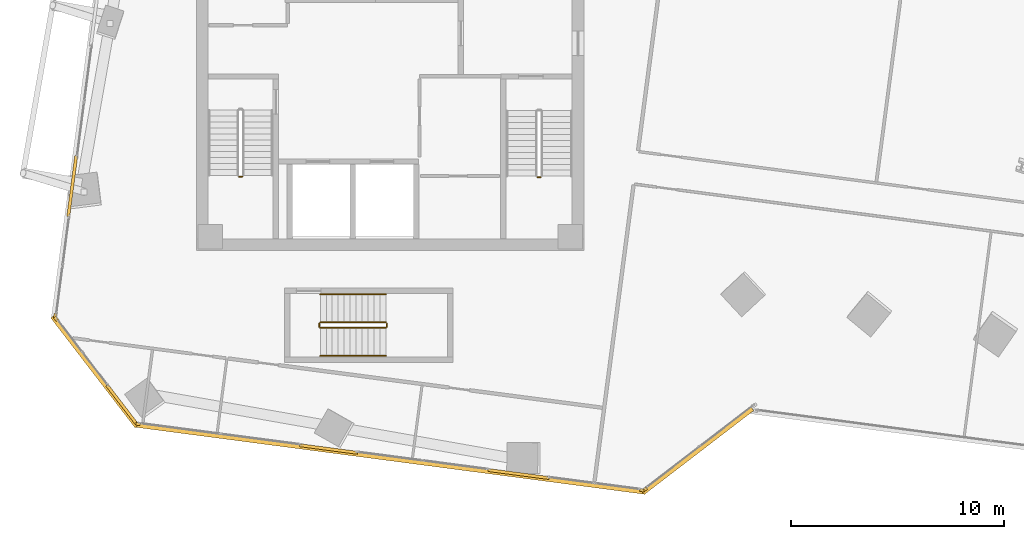
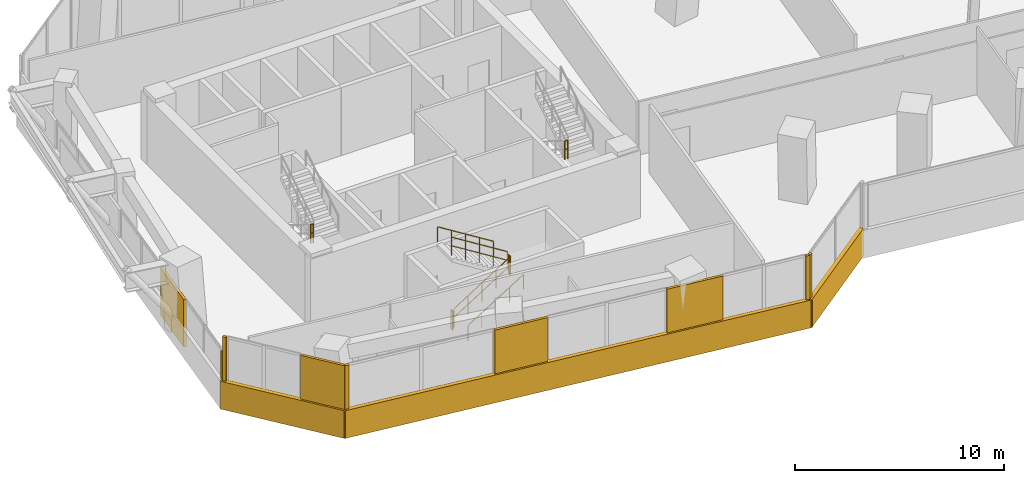
# One storey, part 21 of 24: 12 coverings, 8 railings.
"""IFC4 building model written with IfcOpenShell, lengths in metres."""

from ifc_helpers import new_model, si_unit, direction, frame, origin, origin_2d, place, context, subcontext, project, spatial, rectangle, circle, extrude, source, transform, mapped, material, layer, layer_set, type_object, element, save


model = new_model("IFC4")

# Units and contexts
model_context = context("Model", 3, precision=1e-05, world=origin(), true_north=direction((0.0, 1.0)))
body_context = subcontext(model_context, "Body", "Model", "MODEL_VIEW")
ifc_project = project(units=[si_unit("LENGTHUNIT", "METRE"), si_unit("AREAUNIT", "SQUARE_METRE"), si_unit("VOLUMEUNIT", "CUBIC_METRE"), si_unit("PLANEANGLEUNIT", "RADIAN"), si_unit("MASSUNIT", "GRAM", prefix="KILO")], contexts=[model_context])

# Site, building, storey
site_placement = place(None, origin())
site = spatial("IfcSite", under=ifc_project, at=site_placement, CompositionType="ELEMENT")
building_placement = place(site_placement, origin())
building = spatial("IfcBuilding", under=site, at=building_placement, Name="Torre Montelarca", CompositionType="ELEMENT")
storey_placement = place(building_placement, frame((0.0, 0.0, 70.60009765625)))
storey = spatial("IfcBuildingStorey", under=building, at=storey_placement, Name="L15", CompositionType="ELEMENT", Elevation=70.60009765625)

# Railings
ifc_material_1 = material(Name="Powder-coated steel ASTM A500 Grade C", Category="steel")
railing_type_1 = type_object("IfcRailingType", Name="RL-GUARD-1100", PredefinedType="BALUSTRADE", material=ifc_material_1)
for number, where, name in (
    (1, (10.89990234375, 27.3701171875, 2.099853515625), "L15 ST1 stair guard 2"),
    (2, (24.919921875, 27.340087890625, 2.099853515625), "L15 ST2 stair guard 2"),
):
    element("IfcRailing", number, at=place(storey_placement, frame(where)), inside=storey, type_object=railing_type_1, Name=name, PredefinedType="BALUSTRADE", context=body_context, shape_type="SweptSolid", body=[
        extrude(circle(Radius=0.02392578125, at=origin_2d()), frame((0.0, 0.0, 1.076171875), z_axis=(1.0, 0.0, 0.0), x_axis=(0.0, 1.0, 0.0)), (0.0, 0.0, 1.0), 0.150146484375),
        extrude(circle(Radius=0.02099609375, at=origin_2d()), frame((0.0, 0.0, 0.572021484375), z_axis=(1.0, 0.0, 0.0), x_axis=(0.0, 1.0, 0.0)), (0.0, 0.0, 1.0), 0.150146484375),
        extrude(circle(Radius=0.02099609375, at=origin_2d()), origin(), (0.0, 0.0, 1.0), 1.052001953125),
        extrude(circle(Radius=0.02099609375, at=origin_2d()), frame((0.150146484375, 0.0, 0.0)), (0.0, 0.0, 1.0), 1.052001953125),
    ])
railing_1_placement = place(storey_placement, frame((14.719970703125, 20.27001953125, 0.1748046875)))
element("IfcRailing", 3, at=railing_1_placement, inside=storey, type_object=railing_type_1, Name="L15 ST3 stair guard 1", PredefinedType="BALUSTRADE", context=body_context, shape_type="SweptSolid", body=[
    extrude(circle(Radius=0.02392578125, at=origin_2d()), frame((0.0, 0.0, 1.076171875), z_axis=(0.847998304005, 0.0, 0.529998940003), x_axis=(0.0, 1.0, 0.0)), (0.0, 0.0, 1.0), 3.632080078125),
    extrude(circle(Radius=0.02099609375, at=origin_2d()), frame((0.0, 0.0, 0.572021484375), z_axis=(0.847998304005, 0.0, 0.529998940003), x_axis=(0.0, 1.0, 0.0)), (0.0, 0.0, 1.0), 3.632080078125),
    extrude(circle(Radius=0.02099609375, at=origin_2d()), origin(), (0.0, 0.0, 1.0), 1.052001953125),
    extrude(circle(Radius=0.02099609375, at=origin_2d()), frame((0.77001953125, 0.0, 0.481201171875)), (0.0, 0.0, 1.0), 1.052001953125),
    extrude(circle(Radius=0.02099609375, at=origin_2d()), frame((1.5400390625, 0.0, 0.96240234375)), (0.0, 0.0, 1.0), 1.052001953125),
    extrude(circle(Radius=0.02099609375, at=origin_2d()), frame((2.31005859375, 0.0, 1.44384765625)), (0.0, 0.0, 1.0), 1.052001953125),
    extrude(circle(Radius=0.02099609375, at=origin_2d()), frame((3.080078125, 0.0, 1.925048828125)), (0.0, 0.0, 1.0), 1.052001953125),
])
railing_2_placement = place(storey_placement, frame((17.85009765625, 20.320068359375, 2.099853515625)))
element("IfcRailing", 4, at=railing_2_placement, inside=storey, type_object=railing_type_1, Name="L15 ST3 stair guard 2", PredefinedType="BALUSTRADE", context=body_context, shape_type="SweptSolid", body=[
    extrude(circle(Radius=0.02392578125, at=origin_2d()), frame((0.0, 0.0, 1.076171875), z_axis=(0.0, 1.0, 0.0), x_axis=(-1.0, 0.0, 0.0)), (0.0, 0.0, 1.0), 0.14990234375),
    extrude(circle(Radius=0.02099609375, at=origin_2d()), frame((0.0, 0.0, 0.572021484375), z_axis=(0.0, 1.0, 0.0), x_axis=(-1.0, 0.0, 0.0)), (0.0, 0.0, 1.0), 0.14990234375),
    extrude(circle(Radius=0.02099609375, at=origin_2d()), origin(), (0.0, 0.0, 1.0), 1.052001953125),
    extrude(circle(Radius=0.02099609375, at=origin_2d()), frame((0.0, 0.14990234375, 0.0)), (0.0, 0.0, 1.0), 1.052001953125),
])
railing_3_placement = place(storey_placement, frame((17.800048828125, 20.52001953125, 2.27490234375)))
element("IfcRailing", 5, at=railing_3_placement, inside=storey, type_object=railing_type_1, Name="L15 ST3 stair guard 3", PredefinedType="BALUSTRADE", context=body_context, shape_type="SweptSolid", body=[
    extrude(circle(Radius=0.02392578125, at=origin_2d()), frame((0.0, 0.0, 1.076171875), z_axis=(-0.847998304005, 0.0, 0.529998940003), x_axis=(0.0, -1.0, 0.0)), (0.0, 0.0, 1.0), 3.632080078125),
    extrude(circle(Radius=0.02099609375, at=origin_2d()), frame((0.0, 0.0, 0.572021484375), z_axis=(-0.847998304005, 0.0, 0.529998940003), x_axis=(0.0, -1.0, 0.0)), (0.0, 0.0, 1.0), 3.632080078125),
    extrude(circle(Radius=0.02099609375, at=origin_2d()), origin(), (0.0, 0.0, 1.0), 1.052001953125),
    extrude(circle(Radius=0.02099609375, at=origin_2d()), frame((-0.77001953125, 0.0, 0.481201171875)), (0.0, 0.0, 1.0), 1.052001953125),
    extrude(circle(Radius=0.02099609375, at=origin_2d()), frame((-1.5400390625, 0.0, 0.96240234375)), (0.0, 0.0, 1.0), 1.052001953125),
    extrude(circle(Radius=0.02099609375, at=origin_2d()), frame((-2.31005859375, 0.0, 1.44384765625)), (0.0, 0.0, 1.0), 1.052001953125),
    extrude(circle(Radius=0.02099609375, at=origin_2d()), frame((-3.080078125, 0.0, 1.925048828125)), (0.0, 0.0, 1.0), 1.052001953125),
])
railing_4_placement = place(storey_placement, frame((14.669921875, 20.320068359375, 0.0)))
element("IfcRailing", 6, at=railing_4_placement, inside=storey, type_object=railing_type_1, Name="L15 ST3 stair guard 4", PredefinedType="BALUSTRADE", context=body_context, shape_type="SweptSolid", body=[
    extrude(circle(Radius=0.02392578125, at=origin_2d()), frame((0.0, 0.0, 1.076171875), z_axis=(0.0, 1.0, 0.0), x_axis=(-1.0, 0.0, 0.0)), (0.0, 0.0, 1.0), 0.14990234375),
    extrude(circle(Radius=0.02099609375, at=origin_2d()), frame((0.0, 0.0, 0.572021484375), z_axis=(0.0, 1.0, 0.0), x_axis=(-1.0, 0.0, 0.0)), (0.0, 0.0, 1.0), 0.14990234375),
    extrude(circle(Radius=0.02099609375, at=origin_2d()), origin(), (0.0, 0.0, 1.0), 1.052001953125),
    extrude(circle(Radius=0.02099609375, at=origin_2d()), frame((0.0, 0.14990234375, 0.0)), (0.0, 0.0, 1.0), 1.052001953125),
])
ifc_material_2 = material(Name="Brushed stainless steel AISI 316", Category="steel")
railing_type_2 = type_object("IfcRailingType", Name="RL-HANDRAIL-900", PredefinedType="HANDRAIL", material=ifc_material_2)
railing_5_placement = place(storey_placement, frame((14.719970703125, 18.949951171875, 0.1748046875)))
element("IfcRailing", 7, at=railing_5_placement, inside=storey, type_object=railing_type_2, Name="L15 ST3 stair handrail 1", PredefinedType="HANDRAIL", context=body_context, shape_type="SweptSolid", body=[
    extrude(circle(Radius=0.02392578125, at=origin_2d()), frame((0.0, 0.0, 0.8759765625), z_axis=(0.847998304005, 0.0, 0.529998940003), x_axis=(0.0, 1.0, 0.0)), (0.0, 0.0, 1.0), 3.632080078125),
    extrude(circle(Radius=0.02099609375, at=origin_2d()), origin(), (0.0, 0.0, 1.0), 0.851806640625),
    extrude(circle(Radius=0.02099609375, at=origin_2d()), frame((0.77001953125, 0.0, 0.481201171875)), (0.0, 0.0, 1.0), 0.851806640625),
    extrude(circle(Radius=0.02099609375, at=origin_2d()), frame((1.5400390625, 0.0, 0.96240234375)), (0.0, 0.0, 1.0), 0.851806640625),
    extrude(circle(Radius=0.02099609375, at=origin_2d()), frame((2.31005859375, 0.0, 1.44384765625)), (0.0, 0.0, 1.0), 0.851806640625),
    extrude(circle(Radius=0.02099609375, at=origin_2d()), frame((3.080078125, 0.0, 1.925048828125)), (0.0, 0.0, 1.0), 0.851806640625),
])
railing_6_placement = place(storey_placement, frame((17.800048828125, 21.840087890625, 2.27490234375)))
element("IfcRailing", 8, at=railing_6_placement, inside=storey, type_object=railing_type_2, Name="L15 ST3 stair handrail 2", PredefinedType="HANDRAIL", context=body_context, shape_type="SweptSolid", body=[
    extrude(circle(Radius=0.02392578125, at=origin_2d()), frame((0.0, 0.0, 0.8759765625), z_axis=(-0.847998304005, 0.0, 0.529998940003), x_axis=(0.0, -1.0, 0.0)), (0.0, 0.0, 1.0), 3.632080078125),
    extrude(circle(Radius=0.02099609375, at=origin_2d()), origin(), (0.0, 0.0, 1.0), 0.851806640625),
    extrude(circle(Radius=0.02099609375, at=origin_2d()), frame((-0.77001953125, 0.0, 0.481201171875)), (0.0, 0.0, 1.0), 0.851806640625),
    extrude(circle(Radius=0.02099609375, at=origin_2d()), frame((-1.5400390625, 0.0, 0.96240234375)), (0.0, 0.0, 1.0), 0.851806640625),
    extrude(circle(Radius=0.02099609375, at=origin_2d()), frame((-2.31005859375, 0.0, 1.44384765625)), (0.0, 0.0, 1.0), 0.851806640625),
    extrude(circle(Radius=0.02099609375, at=origin_2d()), frame((-3.080078125, 0.0, 1.925048828125)), (0.0, 0.0, 1.0), 0.851806640625),
])

# Coverings
ifc_material_3 = material(Name="Bush-hammered warm white precast concrete C45/55", Category="concrete")
ifc_layer = layer(ifc_material_3, 0.139892578125, Name="Bush-hammered warm white precast concrete C45/55", Category="concrete")
ifc_layer_set = layer_set([ifc_layer], Name="Bush-hammered warm white precast concrete C45/55")
covering_type = type_object("IfcCoveringType", Name="COV-TRAY-CLAD", PredefinedType="CLADDING", material=ifc_layer_set)
shared_shape_1 = source(origin(), body_context, "Body", "SweptSolid", [
    extrude(rectangle(XDim=24.219970703125, YDim=0.219970703125, at=origin_2d()), origin(), (0.0, 0.0, 1.0), 1.6201171875),
])
covering_1_placement = place(storey_placement, frame((17.98828125, 14.135498046875, -0.4501953125), z_axis=(0.0, 0.0, 1.0), x_axis=(0.99144531699, -0.130522731424, 0.0)))
element("IfcCovering", 9, at=covering_1_placement, inside=storey, type_object=covering_type, Name="L15 Architectural White Spandrel Tray Band TRYBOT-01", PredefinedType="CLADDING", context=body_context, shape_type="MappedRepresentation", body=[
    mapped(shared_shape_1, transform((0.0, 0.0, 0.0), scale=1.0)),
])
shared_shape_2 = source(origin(), body_context, "Body", "SweptSolid", [
    extrude(rectangle(XDim=6.48388671875, YDim=0.219970703125, at=origin_2d()), origin(), (0.0, 0.0, 1.0), 1.6201171875),
])
for number, where, z_axis, x_axis, name in (
    (10, (32.437255859375, 14.493896484375, -0.4501953125), (0.0, 0.0, 1.0), (0.793352277801, 0.608762813671, 0.0), "L15 Architectural White Spandrel Tray Band TRYBOT-02"),
    (11, (4.1240234375, 18.22119140625, -0.4501953125), (0.0, 0.0, 1.0), (0.608765582989, -0.793350152813, 0.0), "L15 Architectural White Spandrel Tray Band TRYBOT-11"),
):
    element("IfcCovering", number, at=place(storey_placement, frame(where, z_axis=z_axis, x_axis=x_axis)), inside=storey, type_object=covering_type, Name=name, PredefinedType="CLADDING", context=body_context, shape_type="MappedRepresentation", body=[
        mapped(shared_shape_2, transform((0.0, 0.0, 0.0), scale=1.0)),
    ])
shared_shape_3 = source(origin(), body_context, "Body", "SweptSolid", [
    extrude(rectangle(XDim=0.199951171875, YDim=0.139892578125, at=origin_2d()), origin(), (0.0, 0.0, 1.0), 3.719970703125),
])
for number, where, z_axis, x_axis, name in (
    (12, (6.1640625, 15.752685546875, 0.0), (0.0, 0.0, 1.0), (0.99144531699, -0.130522731424, 0.0), "L15 Architectural Column Pier Cladding E01-1"),
    (13, (29.828125, 12.637451171875, 0.0), (0.0, 0.0, 1.0), (0.99144531699, -0.130522731424, 0.0), "L15 Architectural Column Pier Cladding E01-4"),
    (14, (29.96826171875, 12.6748046875, 0.0), (0.0, 0.0, 1.0), (0.793349090315, 0.608766967645, 0.0), "L15 Architectural Column Pier Cladding E02-1"),
    (15, (2.30517578125, 20.6904296875, 0.0), (0.0, 0.0, 1.0), (0.608773890899, -0.793343777791, 0.0), "L15 Architectural Column Pier Cladding E11-1"),
):
    element("IfcCovering", number, at=place(storey_placement, frame(where, z_axis=z_axis, x_axis=x_axis)), inside=storey, type_object=covering_type, Name=name, PredefinedType="CLADDING", context=body_context, shape_type="MappedRepresentation", body=[
        mapped(shared_shape_3, transform((0.0, 0.0, 0.0), scale=1.0)),
    ])
shared_shape_4 = source(origin(), body_context, "Body", "SweptSolid", [
    extrude(rectangle(XDim=0.199951171875, YDim=0.139892578125, at=origin_2d()), origin(), (0.0, 0.0, 1.0), 2.77490234375),
])
covering_2_placement = place(storey_placement, frame((2.267578125, 20.83056640625, 0.0), z_axis=(0.0, 0.0, 1.0), x_axis=(-0.130527922618, -0.991444633561, 0.0)))
element("IfcCovering", 16, at=covering_2_placement, inside=storey, type_object=covering_type, Name="L15 Architectural Column Pier Cladding E10-5", PredefinedType="CLADDING", context=body_context, shape_type="MappedRepresentation", body=[
    mapped(shared_shape_4, transform((0.0, 0.0, 0.0), scale=1.0)),
])
shared_shape_5 = source(origin(), body_context, "Body", "SweptSolid", [
    extrude(rectangle(XDim=2.732666015625, YDim=0.139892578125, at=origin_2d()), origin(), (0.0, 0.0, 1.0), 3.719970703125),
])
covering_3_placement = place(storey_placement, frame((15.110107421875, 14.574951171875, 0.0), z_axis=(0.0, 0.0, 1.0), x_axis=(0.99144531699, -0.130522731424, 0.0)))
element("IfcCovering", 17, at=covering_3_placement, inside=storey, type_object=covering_type, Name="L15 Architectural Column Pier Cladding E01-2", PredefinedType="CLADDING", context=body_context, shape_type="MappedRepresentation", body=[
    mapped(shared_shape_5, transform((0.0, 0.0, 0.0), scale=1.0)),
])
shared_shape_6 = source(origin(), body_context, "Body", "SweptSolid", [
    extrude(rectangle(XDim=2.888916015625, YDim=0.139892578125, at=origin_2d()), origin(), (0.0, 0.0, 1.0), 3.719970703125),
])
covering_4_placement = place(storey_placement, frame((24.028076171875, 13.40087890625, 0.0), z_axis=(0.0, 0.0, 1.0), x_axis=(0.99144531699, -0.130522731424, 0.0)))
element("IfcCovering", 18, at=covering_4_placement, inside=storey, type_object=covering_type, Name="L15 Architectural Column Pier Cladding E01-3", PredefinedType="CLADDING", context=body_context, shape_type="MappedRepresentation", body=[
    mapped(shared_shape_6, transform((0.0, 0.0, 0.0), scale=1.0)),
])
shared_shape_7 = source(origin(), body_context, "Body", "SweptSolid", [
    extrude(rectangle(XDim=2.883056640625, YDim=0.139892578125, at=origin_2d()), origin(), (0.0, 0.0, 1.0), 2.77490234375),
])
covering_5_placement = place(storey_placement, frame((3.069091796875, 26.918212890625, 0.0), z_axis=(0.0, 0.0, 1.0), x_axis=(-0.130527922618, -0.991444633561, 0.0)))
element("IfcCovering", 19, at=covering_5_placement, inside=storey, type_object=covering_type, Name="L15 Architectural Column Pier Cladding E10-4", PredefinedType="CLADDING", context=body_context, shape_type="MappedRepresentation", body=[
    mapped(shared_shape_7, transform((0.0, 0.0, 0.0), scale=1.0)),
])
shared_shape_8 = source(origin(), body_context, "Body", "SweptSolid", [
    extrude(rectangle(XDim=2.29541015625, YDim=0.139892578125, at=origin_2d()), origin(), (0.0, 0.0, 1.0), 3.719970703125),
])
covering_6_placement = place(storey_placement, frame((5.400390625, 16.656494140625, 0.0), z_axis=(0.0, 0.0, 1.0), x_axis=(0.608773890899, -0.793343777791, 0.0)))
element("IfcCovering", 20, at=covering_6_placement, inside=storey, type_object=covering_type, Name="L15 Architectural Column Pier Cladding E11-2", PredefinedType="CLADDING", context=body_context, shape_type="MappedRepresentation", body=[
    mapped(shared_shape_8, transform((0.0, 0.0, 0.0), scale=1.0)),
])

save(model, "model.ifc")
